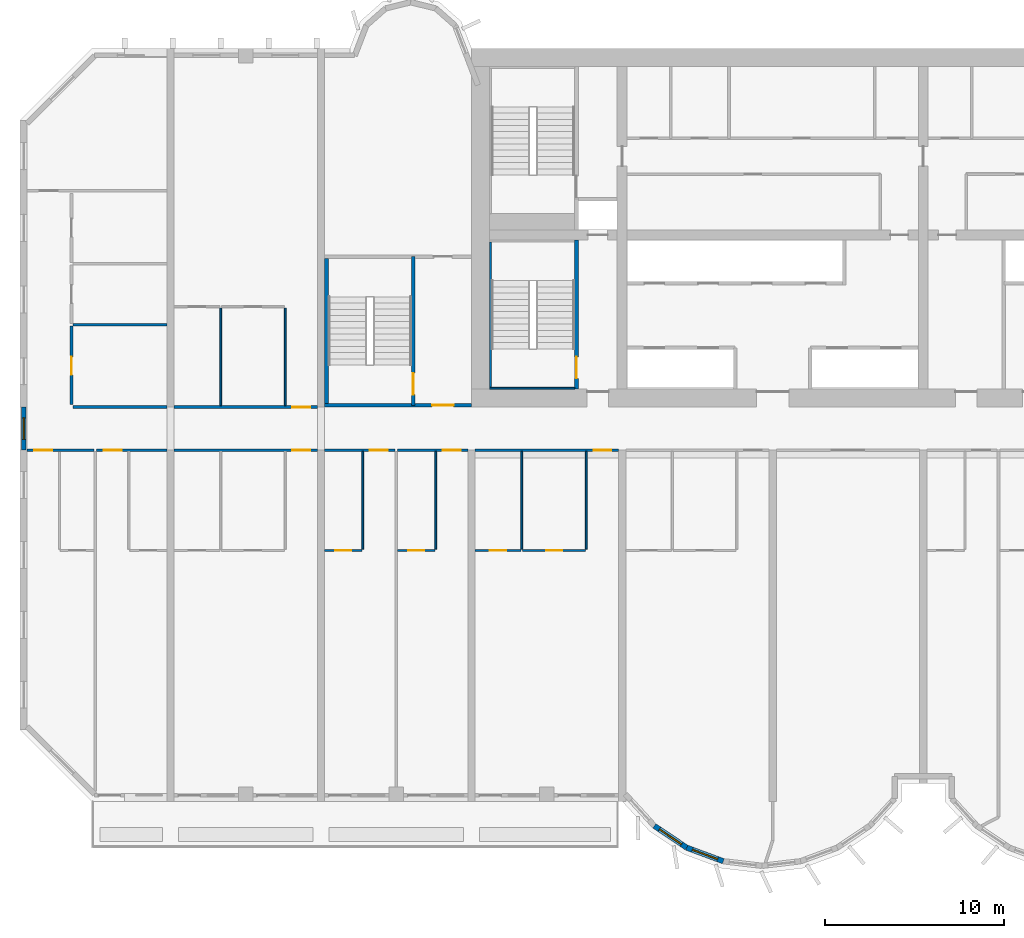
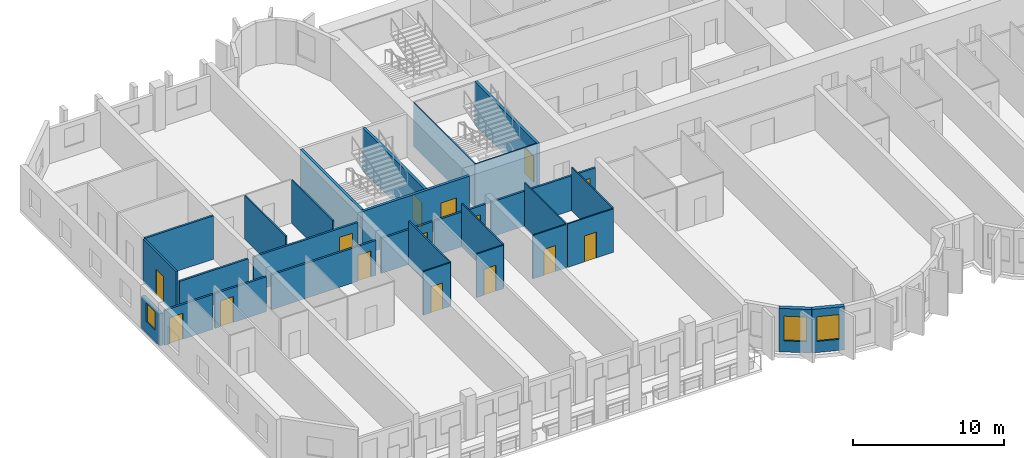
# One storey, part 3 of 14: 29 walls, 15 doors, 3 windows, 18 openings.
"""IFC4 building model written with IfcOpenShell, lengths in metres."""

from ifc_helpers import new_model, si_unit, direction, frame, frame_2d, origin, place, context, subcontext, project, spatial, rectangle, extrude, source, transform, mapped, material, layer, layer_set, type_object, element, fill, save


model = new_model("IFC4")

# Units and contexts
model_context = context("Model", 3, precision=1e-05, world=origin(), true_north=direction((0.0, 1.0)))
body_context = subcontext(model_context, "Body", "Model", "MODEL_VIEW")
ifc_project = project(units=[si_unit("LENGTHUNIT", "METRE"), si_unit("AREAUNIT", "SQUARE_METRE"), si_unit("VOLUMEUNIT", "CUBIC_METRE"), si_unit("PLANEANGLEUNIT", "RADIAN"), si_unit("MASSUNIT", "GRAM", prefix="KILO")], contexts=[model_context])

# Site, building, storey
site_placement = place(None, origin())
site = spatial("IfcSite", under=ifc_project, at=site_placement, CompositionType="ELEMENT")
building_placement = place(site_placement, origin())
building = spatial("IfcBuilding", under=site, at=building_placement, Name="Vanashikhar Sky Hotel", CompositionType="ELEMENT")
storey_placement = place(building_placement, frame((0.0, 0.0, 50.60009765625)))
storey = spatial("IfcBuildingStorey", under=building, at=storey_placement, Name="L11", CompositionType="ELEMENT", Elevation=50.60009765625)

# Wall, opening, window
ifc_material_1 = material(Name="Concrete M50", Category="concrete")
ifc_layer_1 = layer(ifc_material_1, 0.300048828125)
ifc_layer_set_1 = layer_set([ifc_layer_1], Name="Lobe wall 300")
wall_type_1 = type_object("IfcWallType", Name="Lobe wall 300", PredefinedType="SOLIDWALL", material=ifc_layer_set_1)
shared_shape_1 = source(origin(), body_context, "Body", "SweptSolid", [
    extrude(rectangle(XDim=2.17578125, YDim=0.300048828125, at=frame_2d((1.087890625, 0.0))), origin(), (0.0, 0.0, 1.0), 3.52001953125),
])
wall_1_placement = place(storey_placement, frame((35.395751953125, -1.36865234375, 0.0), z_axis=(0.0, 0.0, 1.0), x_axis=(0.829590746428, -0.558371913192, 0.0)))
wall_1 = element("IfcWall", 1, at=wall_1_placement, inside=storey, type_object=wall_type_1, Name="Lobe wall", PredefinedType="SOLIDWALL", context=body_context, shape_type="MappedRepresentation", body=[
    mapped(shared_shape_1, transform((0.0, 0.0, 0.0), scale=1.0)),
])
shared_shape_2 = source(origin(), body_context, "Body", "SweptSolid", [
    extrude(rectangle(XDim=1.5, YDim=2.0, at=frame_2d((0.75, 1.0))), frame((0.0, 0.16015625, 0.0), z_axis=(0.0, -1.0, 0.0), x_axis=(1.0, 0.0, 0.0)), (0.0, 0.0, 1.0), 0.320068359375),
])
opening_1_placement = place(wall_1_placement, frame((0.337890625, 0.0, 0.89990234375)))
opening_1 = element("IfcOpeningElement", 2, at=opening_1_placement, cuts=wall_1, Name="Opening WN-2", PredefinedType="OPENING", context=body_context, shape_type="MappedRepresentation", body=[
    mapped(shared_shape_2, transform((0.0, 0.0, 0.0), scale=1.0)),
])
ifc_material_2 = material(Name="Glass", Category="glass")
window_type_1 = type_object("IfcWindowType", Name="Lobe window 1500 x 2000", PartitioningType="SINGLE_PANEL", PredefinedType="WINDOW", material=ifc_material_2)
shared_shape_3 = source(origin(), body_context, "Body", "SweptSolid", [
    extrude(rectangle(XDim=1.5, YDim=2.0, at=frame_2d((0.75, 1.0))), frame((0.0, 0.030029296875, 0.0), z_axis=(0.0, -1.0, 0.0), x_axis=(1.0, 0.0, 0.0)), (0.0, 0.0, 1.0), 0.06005859375),
])
window_1_placement = place(opening_1_placement, origin())
window_1 = element("IfcWindow", 3, at=window_1_placement, inside=storey, type_object=window_type_1, Name="Window WN-2", OverallHeight=2.0, OverallWidth=1.5, PartitioningType="SINGLE_PANEL", PredefinedType="WINDOW", context=body_context, shape_type="MappedRepresentation", body=[
    mapped(shared_shape_3, transform((0.0, 0.0, 0.0), scale=1.0)),
])
fill(opening_1, window_1)

wall_2_placement = place(storey_placement, frame((37.20068359375, -2.58349609375, 0.0), z_axis=(0.0, 0.0, 1.0), x_axis=(0.93754555999, -0.347862505801, 0.0)))
wall_2 = element("IfcWall", 4, at=wall_2_placement, inside=storey, type_object=wall_type_1, Name="Lobe wall", PredefinedType="SOLIDWALL", context=body_context, shape_type="MappedRepresentation", body=[
    mapped(shared_shape_1, transform((0.0, 0.0, 0.0), scale=1.0)),
])
opening_2_placement = place(wall_2_placement, frame((0.337890625, 0.0, 0.89990234375)))
opening_2 = element("IfcOpeningElement", 5, at=opening_2_placement, cuts=wall_2, Name="Opening WN-2", PredefinedType="OPENING", context=body_context, shape_type="MappedRepresentation", body=[
    mapped(shared_shape_2, transform((0.0, 0.0, 0.0), scale=1.0)),
])
window_2_placement = place(opening_2_placement, origin())
window_2 = element("IfcWindow", 6, at=window_2_placement, inside=storey, type_object=window_type_1, Name="Window WN-2", OverallHeight=2.0, OverallWidth=1.5, PartitioningType="SINGLE_PANEL", PredefinedType="WINDOW", context=body_context, shape_type="MappedRepresentation", body=[
    mapped(shared_shape_3, transform((0.0, 0.0, 0.0), scale=1.0)),
])
fill(opening_2, window_2)

ifc_layer_2 = layer(ifc_material_1, 0.25)
ifc_layer_set_2 = layer_set([ifc_layer_2], Name="Rear and end board-marked wall 250")
wall_type_2 = type_object("IfcWallType", Name="Rear and end board-marked wall 250", PredefinedType="SOLIDWALL", material=ifc_layer_set_2)
shared_shape_4 = source(origin(), body_context, "Body", "SweptSolid", [
    extrude(rectangle(XDim=2.39990234375, YDim=0.25, at=frame_2d((1.199951171875, 0.0))), origin(), (0.0, 0.0, 1.0), 2.619873046875),
])
wall_3_placement = place(storey_placement, frame((0.199951171875, 19.60009765625, 0.0), z_axis=(0.0, 0.0, 1.0), x_axis=(0.0, 1.0, 0.0)))
wall_3 = element("IfcWall", 7, at=wall_3_placement, inside=storey, type_object=wall_type_2, Name="End corridor infill wall", PredefinedType="SOLIDWALL", context=body_context, shape_type="MappedRepresentation", body=[
    mapped(shared_shape_4, transform((0.0, 0.0, 0.0), scale=1.0)),
])
shared_shape_5 = source(origin(), body_context, "Body", "SweptSolid", [
    extrude(rectangle(XDim=1.199951171875, YDim=1.5, at=frame_2d((0.60009765625, 0.75))), frame((0.0, 0.135009765625, 0.0), z_axis=(0.0, -1.0, 0.0), x_axis=(1.0, 0.0, 0.0)), (0.0, 0.0, 1.0), 0.27001953125),
])
opening_3_placement = place(wall_3_placement, frame((0.60009765625, 0.0, 0.89990234375)))
opening_3 = element("IfcOpeningElement", 8, at=opening_3_placement, cuts=wall_3, Name="Opening WN-3", PredefinedType="OPENING", context=body_context, shape_type="MappedRepresentation", body=[
    mapped(shared_shape_5, transform((0.0, 0.0, 0.0), scale=1.0)),
])
window_type_2 = type_object("IfcWindowType", Name="Corridor end window 1200 x 1500", PartitioningType="SINGLE_PANEL", PredefinedType="WINDOW", material=ifc_material_2)
shared_shape_6 = source(origin(), body_context, "Body", "SweptSolid", [
    extrude(rectangle(XDim=1.199951171875, YDim=1.5, at=frame_2d((0.60009765625, 0.75))), frame((0.0, 0.030029296875, 0.0), z_axis=(0.0, -1.0, 0.0), x_axis=(1.0, 0.0, 0.0)), (0.0, 0.0, 1.0), 0.06005859375),
])
window_3_placement = place(opening_3_placement, origin())
window_3 = element("IfcWindow", 9, at=window_3_placement, inside=storey, type_object=window_type_2, Name="Window WN-3", OverallHeight=1.5, OverallWidth=1.199951171875, PartitioningType="SINGLE_PANEL", PredefinedType="WINDOW", context=body_context, shape_type="MappedRepresentation", body=[
    mapped(shared_shape_6, transform((0.0, 0.0, 0.0), scale=1.0)),
])
fill(opening_3, window_3)

# Wall, opening, door
ifc_layer_3 = layer(ifc_material_1, 0.199951171875)
ifc_layer_set_3 = layer_set([ifc_layer_3], Name="Stair wall 200")
wall_type_3 = type_object("IfcWallType", Name="Stair wall 200", PredefinedType="SOLIDWALL", material=ifc_layer_set_3)
shared_shape_7 = source(origin(), body_context, "Body", "SweptSolid", [
    extrude(rectangle(XDim=8.199951171875, YDim=0.199951171875, at=frame_2d((4.10009765625, 0.0))), origin(), (0.0, 0.0, 1.0), 3.52001953125),
])
wall_4_placement = place(storey_placement, frame((17.0, 22.10009765625, 0.0), z_axis=(0.0, 0.0, 1.0), x_axis=(1.0, 0.0, 0.0)))
wall_4 = element("IfcWall", 10, at=wall_4_placement, inside=storey, type_object=wall_type_3, Name="Stair wall 200", PredefinedType="SOLIDWALL", context=body_context, shape_type="MappedRepresentation", body=[
    mapped(shared_shape_7, transform((0.0, 0.0, 0.0), scale=1.0)),
])
shared_shape_8 = source(origin(), body_context, "Body", "SweptSolid", [
    extrude(rectangle(XDim=1.199951171875, YDim=2.10009765625, at=frame_2d((0.60009765625, 1.050048828125))), frame((0.0, 0.10986328125, 0.0), z_axis=(0.0, -1.0, 0.0), x_axis=(1.0, 0.0, 0.0)), (0.0, 0.0, 1.0), 0.219970703125),
])
opening_4_placement = place(wall_4_placement, frame((6.0, 0.0, 0.0)))
opening_4 = element("IfcOpeningElement", 11, at=opening_4_placement, cuts=wall_4, Name="Opening DC-2", PredefinedType="OPENING", context=body_context, shape_type="MappedRepresentation", body=[
    mapped(shared_shape_8, transform((0.0, 0.0, 0.0), scale=1.0)),
])
ifc_material_3 = material(Name="Steel", Category="steel")
door_type_1 = type_object("IfcDoorType", Name="Firefighting lobby door 1200 FD120", OperationType="NOTDEFINED", PredefinedType="DOOR", material=ifc_material_3)
shared_shape_9 = source(origin(), body_context, "Body", "SweptSolid", [
    extrude(rectangle(XDim=1.199951171875, YDim=2.10009765625, at=frame_2d((0.60009765625, 1.050048828125))), frame((0.0, 0.02490234375, 0.0), z_axis=(0.0, -1.0, 0.0), x_axis=(1.0, 0.0, 0.0)), (0.0, 0.0, 1.0), 0.050048828125),
])
door_1_placement = place(opening_4_placement, origin())
door_1 = element("IfcDoor", 12, at=door_1_placement, inside=storey, type_object=door_type_1, Name="Firefighting lobby door 1200 FD120", OperationType="SINGLE_SWING_RIGHT", OverallHeight=2.10009765625, OverallWidth=1.199951171875, PredefinedType="DOOR", context=body_context, shape_type="MappedRepresentation", body=[
    mapped(shared_shape_9, transform((0.0, 0.0, 0.0), scale=1.0)),
])
fill(opening_4, door_1)

shared_shape_10 = source(origin(), body_context, "Body", "SweptSolid", [
    extrude(rectangle(XDim=8.2998046875, YDim=0.199951171875, at=frame_2d((4.14990234375, 0.0))), origin(), (0.0, 0.0, 1.0), 3.52001953125),
])
wall_5_placement = place(storey_placement, frame((21.949951171875, 22.10009765625, 0.0), z_axis=(0.0, 0.0, 1.0), x_axis=(0.0, 1.0, 0.0)))
wall_5 = element("IfcWall", 13, at=wall_5_placement, inside=storey, type_object=wall_type_3, Name="Stair wall 200", PredefinedType="SOLIDWALL", context=body_context, shape_type="MappedRepresentation", body=[
    mapped(shared_shape_10, transform((0.0, 0.0, 0.0), scale=1.0)),
])
opening_5_placement = place(wall_5_placement, frame((0.60009765625, 0.0, 0.0)))
opening_5 = element("IfcOpeningElement", 14, at=opening_5_placement, cuts=wall_5, Name="Opening DC-1", PredefinedType="OPENING", context=body_context, shape_type="MappedRepresentation", body=[
    mapped(shared_shape_8, transform((0.0, 0.0, 0.0), scale=1.0)),
])
door_type_2 = type_object("IfcDoorType", Name="Stair door 1200 FD120", OperationType="NOTDEFINED", PredefinedType="DOOR", material=ifc_material_3)
door_2_placement = place(opening_5_placement, origin())
door_2 = element("IfcDoor", 15, at=door_2_placement, inside=storey, type_object=door_type_2, Name="Stair door 1200 FD120", OperationType="SINGLE_SWING_LEFT", OverallHeight=2.10009765625, OverallWidth=1.199951171875, PredefinedType="DOOR", context=body_context, shape_type="MappedRepresentation", body=[
    mapped(shared_shape_9, transform((0.0, 0.0, 0.0), scale=1.0)),
])
fill(opening_5, door_2)

# Walls
ifc_layer_4 = layer(ifc_material_1, 0.10009765625)
ifc_layer_set_4 = layer_set([ifc_layer_4], Name="Stair infill wall 100")
wall_type_4 = type_object("IfcWallType", Name="Stair infill wall 100", PredefinedType="SOLIDWALL", material=ifc_layer_set_4)
shared_shape_11 = source(origin(), body_context, "Body", "SweptSolid", [
    extrude(rectangle(XDim=4.75, YDim=0.10009765625, at=frame_2d((2.375, 0.0))), origin(), (0.0, 0.0, 1.0), 3.52001953125),
])
wall_6_placement = place(storey_placement, frame((26.199951171875, 23.050048828125, 0.0), z_axis=(0.0, 0.0, 1.0), x_axis=(1.0, 0.0, 0.0)))
element("IfcWall", 16, at=wall_6_placement, inside=storey, type_object=wall_type_4, Name="Stair infill wall 100", PredefinedType="SOLIDWALL", context=body_context, shape_type="MappedRepresentation", body=[
    mapped(shared_shape_11, transform((0.0, 0.0, 0.0), scale=1.0)),
])
shared_shape_12 = source(origin(), body_context, "Body", "SweptSolid", [
    extrude(rectangle(XDim=8.099853515625, YDim=0.10009765625, at=frame_2d((4.0498046875, 0.0))), origin(), (0.0, 0.0, 1.0), 3.52001953125),
])
wall_7_placement = place(storey_placement, frame((26.25, 23.10009765625, 0.0), z_axis=(0.0, 0.0, 1.0), x_axis=(0.0, 1.0, 0.0)))
element("IfcWall", 17, at=wall_7_placement, inside=storey, type_object=wall_type_4, Name="Stair infill wall 100", PredefinedType="SOLIDWALL", context=body_context, shape_type="MappedRepresentation", body=[
    mapped(shared_shape_12, transform((0.0, 0.0, 0.0), scale=1.0)),
])

# Wall, opening, door
shared_shape_13 = source(origin(), body_context, "Body", "SweptSolid", [
    extrude(rectangle(XDim=8.324951171875, YDim=0.199951171875, at=frame_2d((4.16259765625, 0.0))), origin(), (0.0, 0.0, 1.0), 3.52001953125),
])
wall_8_placement = place(storey_placement, frame((31.050048828125, 23.0, 0.0), z_axis=(0.0, 0.0, 1.0), x_axis=(0.0, 1.0, 0.0)))
wall_8 = element("IfcWall", 18, at=wall_8_placement, inside=storey, type_object=wall_type_3, Name="Stair wall 200", PredefinedType="SOLIDWALL", context=body_context, shape_type="MappedRepresentation", body=[
    mapped(shared_shape_13, transform((0.0, 0.0, 0.0), scale=1.0)),
])
opening_6_placement = place(wall_8_placement, frame((0.60009765625, 0.0, 0.0)))
opening_6 = element("IfcOpeningElement", 19, at=opening_6_placement, cuts=wall_8, Name="Opening DC-1", PredefinedType="OPENING", context=body_context, shape_type="MappedRepresentation", body=[
    mapped(shared_shape_8, transform((0.0, 0.0, 0.0), scale=1.0)),
])
door_3_placement = place(opening_6_placement, origin())
door_3 = element("IfcDoor", 20, at=door_3_placement, inside=storey, type_object=door_type_2, Name="Stair door 1200 FD120", OperationType="SINGLE_SWING_LEFT", OverallHeight=2.10009765625, OverallWidth=1.199951171875, PredefinedType="DOOR", context=body_context, shape_type="MappedRepresentation", body=[
    mapped(shared_shape_9, transform((0.0, 0.0, 0.0), scale=1.0)),
])
fill(opening_6, door_3)

# Wall
ifc_layer_5 = layer(ifc_material_1, 0.199951171875)
ifc_layer_set_5 = layer_set([ifc_layer_5], Name="Stair infill wall 200")
wall_type_5 = type_object("IfcWallType", Name="Stair infill wall 200", PredefinedType="SOLIDWALL", material=ifc_layer_set_5)
shared_shape_14 = source(origin(), body_context, "Body", "SweptSolid", [
    extrude(rectangle(XDim=8.10009765625, YDim=0.199951171875, at=frame_2d((4.050048828125, 0.0))), origin(), (0.0, 0.0, 1.0), 3.52001953125),
])
wall_9_placement = place(storey_placement, frame((17.10009765625, 22.199951171875, 0.0), z_axis=(0.0, 0.0, 1.0), x_axis=(0.0, 1.0, 0.0)))
element("IfcWall", 21, at=wall_9_placement, inside=storey, type_object=wall_type_5, Name="Stair infill wall 200", PredefinedType="SOLIDWALL", context=body_context, shape_type="MappedRepresentation", body=[
    mapped(shared_shape_14, transform((0.0, 0.0, 0.0), scale=1.0)),
])

# Wall, opening, door
ifc_material_4 = material(Name="Gypsum plasterboard partition")
ifc_layer_6 = layer(ifc_material_4, 0.14990234375)
ifc_layer_set_6 = layer_set([ifc_layer_6], Name="Corridor and demising partition 150")
wall_type_6 = type_object("IfcWallType", Name="Corridor and demising partition 150", PredefinedType="PARTITIONING", material=ifc_layer_set_6)
shared_shape_15 = source(origin(), body_context, "Body", "SweptSolid", [
    extrude(rectangle(XDim=4.375, YDim=0.14990234375, at=frame_2d((2.1875, 0.0))), origin(), (0.0, 0.0, 1.0), 3.52001953125),
])
wall_10_placement = place(storey_placement, frame((2.875, 22.14990234375, 0.0), z_axis=(0.0, 0.0, 1.0), x_axis=(0.0, 1.0, 0.0)))
wall_10 = element("IfcWall", 22, at=wall_10_placement, inside=storey, type_object=wall_type_6, Name="W-L11-PW074", PredefinedType="PARTITIONING", context=body_context, shape_type="MappedRepresentation", body=[
    mapped(shared_shape_15, transform((0.0, 0.0, 0.0), scale=1.0)),
])
shared_shape_16 = source(origin(), body_context, "Body", "SweptSolid", [
    extrude(rectangle(XDim=1.0, YDim=2.10009765625, at=frame_2d((0.5, 1.050048828125))), frame((0.0, 0.0849609375, 0.0), z_axis=(0.0, -1.0, 0.0), x_axis=(1.0, 0.0, 0.0)), (0.0, 0.0, 1.0), 0.169921875),
])
opening_7_placement = place(wall_10_placement, frame((1.64990234375, 0.0, 0.0)))
opening_7 = element("IfcOpeningElement", 23, at=opening_7_placement, cuts=wall_10, Name="Opening D-01", PredefinedType="OPENING", context=body_context, shape_type="MappedRepresentation", body=[
    mapped(shared_shape_16, transform((0.0, 0.0, 0.0), scale=1.0)),
])
ifc_material_5 = material(Name="Timber fire door", Category="wood")
door_type_3 = type_object("IfcDoorType", Name="Guest entry door 1000 FD30S", OperationType="NOTDEFINED", PredefinedType="DOOR", material=ifc_material_5)
shared_shape_17 = source(origin(), body_context, "Body", "SweptSolid", [
    extrude(rectangle(XDim=1.0, YDim=2.10009765625, at=frame_2d((0.5, 1.050048828125))), frame((0.0, 0.02490234375, 0.0), z_axis=(0.0, -1.0, 0.0), x_axis=(1.0, 0.0, 0.0)), (0.0, 0.0, 1.0), 0.050048828125),
])
door_4_placement = place(opening_7_placement, origin())
door_4 = element("IfcDoor", 24, at=door_4_placement, inside=storey, type_object=door_type_3, Name="D-L11-042", OperationType="SINGLE_SWING_LEFT", OverallHeight=2.10009765625, OverallWidth=1.0, PredefinedType="DOOR", context=body_context, shape_type="MappedRepresentation", body=[
    mapped(shared_shape_17, transform((0.0, 0.0, 0.0), scale=1.0)),
])
fill(opening_7, door_4)

ifc_layer_7 = layer(ifc_material_4, 0.10009765625)
ifc_layer_set_7 = layer_set([ifc_layer_7], Name="Wet room partition 100")
wall_type_7 = type_object("IfcWallType", Name="Wet room partition 100", PredefinedType="PARTITIONING", material=ifc_layer_set_7)
shared_shape_18 = source(origin(), body_context, "Body", "SweptSolid", [
    extrude(rectangle(XDim=3.5, YDim=0.10009765625, at=frame_2d((1.75, 0.0))), origin(), (0.0, 0.0, 1.0), 3.52001953125),
])
wall_11_placement = place(storey_placement, frame((28.050048828125, 14.0, 0.0), z_axis=(0.0, 0.0, 1.0), x_axis=(1.0, 0.0, 0.0)))
wall_11 = element("IfcWall", 25, at=wall_11_placement, inside=storey, type_object=wall_type_7, Name="W-L11-PW022", PredefinedType="PARTITIONING", context=body_context, shape_type="MappedRepresentation", body=[
    mapped(shared_shape_18, transform((0.0, 0.0, 0.0), scale=1.0)),
])
shared_shape_19 = source(origin(), body_context, "Body", "SweptSolid", [
    extrude(rectangle(XDim=0.89990234375, YDim=2.10009765625, at=frame_2d((0.449951171875, 1.050048828125))), frame((0.0, 0.06005859375, 0.0), z_axis=(0.0, -1.0, 0.0), x_axis=(1.0, 0.0, 0.0)), (0.0, 0.0, 1.0), 0.1201171875),
])
opening_8_placement = place(wall_11_placement, frame((1.300048828125, 0.0, 0.0)))
opening_8 = element("IfcOpeningElement", 26, at=opening_8_placement, cuts=wall_11, Name="Opening D-02", PredefinedType="OPENING", context=body_context, shape_type="MappedRepresentation", body=[
    mapped(shared_shape_19, transform((0.0, 0.0, 0.0), scale=1.0)),
])
ifc_material_6 = material(Name="Timber door", Category="wood")
door_type_4 = type_object("IfcDoorType", Name="Internal door 900", OperationType="NOTDEFINED", PredefinedType="DOOR", material=ifc_material_6)
shared_shape_20 = source(origin(), body_context, "Body", "SweptSolid", [
    extrude(rectangle(XDim=0.89990234375, YDim=2.10009765625, at=frame_2d((0.449951171875, 1.050048828125))), frame((0.0, 0.02490234375, 0.0), z_axis=(0.0, -1.0, 0.0), x_axis=(1.0, 0.0, 0.0)), (0.0, 0.0, 1.0), 0.050048828125),
])
door_5_placement = place(opening_8_placement, origin())
door_5 = element("IfcDoor", 27, at=door_5_placement, inside=storey, type_object=door_type_4, Name="D-L11-012", OperationType="SINGLE_SWING_RIGHT", OverallHeight=2.10009765625, OverallWidth=0.89990234375, PredefinedType="DOOR", context=body_context, shape_type="MappedRepresentation", body=[
    mapped(shared_shape_20, transform((0.0, 0.0, 0.0), scale=1.0)),
])
fill(opening_8, door_5)

shared_shape_21 = source(origin(), body_context, "Body", "SweptSolid", [
    extrude(rectangle(XDim=2.074951171875, YDim=0.10009765625, at=frame_2d((1.03759765625, 0.0))), origin(), (0.0, 0.0, 1.0), 3.52001953125),
])
wall_12_placement = place(storey_placement, frame((17.0, 14.0, 0.0), z_axis=(0.0, 0.0, 1.0), x_axis=(1.0, 0.0, 0.0)))
wall_12 = element("IfcWall", 28, at=wall_12_placement, inside=storey, type_object=wall_type_7, Name="W-L11-PW014", PredefinedType="PARTITIONING", context=body_context, shape_type="MappedRepresentation", body=[
    mapped(shared_shape_21, transform((0.0, 0.0, 0.0), scale=1.0)),
])
opening_9_placement = place(wall_12_placement, frame((0.587890625, 0.0, 0.0)))
opening_9 = element("IfcOpeningElement", 29, at=opening_9_placement, cuts=wall_12, Name="Opening D-02", PredefinedType="OPENING", context=body_context, shape_type="MappedRepresentation", body=[
    mapped(shared_shape_19, transform((0.0, 0.0, 0.0), scale=1.0)),
])
door_6_placement = place(opening_9_placement, origin())
door_6 = element("IfcDoor", 30, at=door_6_placement, inside=storey, type_object=door_type_4, Name="D-L11-008", OperationType="SINGLE_SWING_RIGHT", OverallHeight=2.10009765625, OverallWidth=0.89990234375, PredefinedType="DOOR", context=body_context, shape_type="MappedRepresentation", body=[
    mapped(shared_shape_20, transform((0.0, 0.0, 0.0), scale=1.0)),
])
fill(opening_9, door_6)

wall_13_placement = place(storey_placement, frame((21.074951171875, 14.0, 0.0), z_axis=(0.0, 0.0, 1.0), x_axis=(1.0, 0.0, 0.0)))
wall_13 = element("IfcWall", 31, at=wall_13_placement, inside=storey, type_object=wall_type_7, Name="W-L11-PW017", PredefinedType="PARTITIONING", context=body_context, shape_type="MappedRepresentation", body=[
    mapped(shared_shape_21, transform((0.0, 0.0, 0.0), scale=1.0)),
])
opening_10_placement = place(wall_13_placement, frame((0.5869140625, 0.0, 0.0)))
opening_10 = element("IfcOpeningElement", 32, at=opening_10_placement, cuts=wall_13, Name="Opening D-02", PredefinedType="OPENING", context=body_context, shape_type="MappedRepresentation", body=[
    mapped(shared_shape_19, transform((0.0, 0.0, 0.0), scale=1.0)),
])
door_7_placement = place(opening_10_placement, origin())
door_7 = element("IfcDoor", 33, at=door_7_placement, inside=storey, type_object=door_type_4, Name="D-L11-010", OperationType="SINGLE_SWING_RIGHT", OverallHeight=2.10009765625, OverallWidth=0.89990234375, PredefinedType="DOOR", context=body_context, shape_type="MappedRepresentation", body=[
    mapped(shared_shape_20, transform((0.0, 0.0, 0.0), scale=1.0)),
])
fill(opening_10, door_7)

shared_shape_22 = source(origin(), body_context, "Body", "SweptSolid", [
    extrude(rectangle(XDim=2.550048828125, YDim=0.10009765625, at=frame_2d((1.27490234375, 0.0))), origin(), (0.0, 0.0, 1.0), 3.52001953125),
])
wall_14_placement = place(storey_placement, frame((25.39990234375, 14.0, 0.0), z_axis=(0.0, 0.0, 1.0), x_axis=(1.0, 0.0, 0.0)))
wall_14 = element("IfcWall", 34, at=wall_14_placement, inside=storey, type_object=wall_type_7, Name="W-L11-PW023", PredefinedType="PARTITIONING", context=body_context, shape_type="MappedRepresentation", body=[
    mapped(shared_shape_22, transform((0.0, 0.0, 0.0), scale=1.0)),
])
opening_11_placement = place(wall_14_placement, frame((0.824951171875, 0.0, 0.0)))
opening_11 = element("IfcOpeningElement", 35, at=opening_11_placement, cuts=wall_14, Name="Opening D-02", PredefinedType="OPENING", context=body_context, shape_type="MappedRepresentation", body=[
    mapped(shared_shape_19, transform((0.0, 0.0, 0.0), scale=1.0)),
])
door_8_placement = place(opening_11_placement, origin())
door_8 = element("IfcDoor", 36, at=door_8_placement, inside=storey, type_object=door_type_4, Name="D-L11-013", OperationType="SINGLE_SWING_RIGHT", OverallHeight=2.10009765625, OverallWidth=0.89990234375, PredefinedType="DOOR", context=body_context, shape_type="MappedRepresentation", body=[
    mapped(shared_shape_20, transform((0.0, 0.0, 0.0), scale=1.0)),
])
fill(opening_11, door_8)

# Walls
shared_shape_23 = source(origin(), body_context, "Body", "SweptSolid", [
    extrude(rectangle(XDim=5.25, YDim=0.14990234375, at=frame_2d((2.625, 0.0))), origin(), (0.0, 0.0, 1.0), 3.52001953125),
])
wall_15_placement = place(storey_placement, frame((2.949951171875, 26.60009765625, 0.0), z_axis=(0.0, 0.0, 1.0), x_axis=(1.0, 0.0, 0.0)))
element("IfcWall", 37, at=wall_15_placement, inside=storey, type_object=wall_type_6, Name="W-L11-PW075", PredefinedType="PARTITIONING", context=body_context, shape_type="MappedRepresentation", body=[
    mapped(shared_shape_23, transform((0.0, 0.0, 0.0), scale=1.0)),
])
shared_shape_24 = source(origin(), body_context, "Body", "SweptSolid", [
    extrude(rectangle(XDim=5.449951171875, YDim=0.10009765625, at=frame_2d((2.72509765625, 0.0))), origin(), (0.0, 0.0, 1.0), 3.52001953125),
])
for number, where, z_axis, x_axis, name in (
    (38, (19.125, 14.074951171875, 0.0), (0.0, 0.0, 1.0), (0.0, 1.0, 0.0), "W-L11-PW013"),
    (39, (23.199951171875, 14.074951171875, 0.0), (0.0, 0.0, 1.0), (0.0, 1.0, 0.0), "W-L11-PW016"),
    (40, (31.60009765625, 14.074951171875, 0.0), (0.0, 0.0, 1.0), (0.0, 1.0, 0.0), "W-L11-PW020"),
    (41, (28.0, 14.074951171875, 0.0), (0.0, 0.0, 1.0), (0.0, 1.0, 0.0), "W-L11-PW021"),
    (42, (14.800048828125, 22.074951171875, 0.0), (0.0, 0.0, 1.0), (0.0, 1.0, 0.0), "W-L11-PW080"),
    (43, (11.199951171875, 22.074951171875, 0.0), (0.0, 0.0, 1.0), (0.0, 1.0, 0.0), "W-L11-PW081"),
):
    element("IfcWall", number, at=place(storey_placement, frame(where, z_axis=z_axis, x_axis=x_axis)), inside=storey, type_object=wall_type_7, Name=name, PredefinedType="PARTITIONING", context=body_context, shape_type="MappedRepresentation", body=[
        mapped(shared_shape_24, transform((0.0, 0.0, 0.0), scale=1.0)),
    ])

# Wall, opening, door
shared_shape_25 = source(origin(), body_context, "Body", "SweptSolid", [
    extrude(rectangle(XDim=3.72509765625, YDim=0.14990234375, at=frame_2d((1.862548828125, 0.0))), origin(), (0.0, 0.0, 1.0), 2.81982421875),
])
wall_16_placement = place(storey_placement, frame((0.39990234375, 19.60009765625, 0.0), z_axis=(0.0, 0.0, 1.0), x_axis=(1.0, 0.0, 0.0)))
wall_16 = element("IfcWall", 44, at=wall_16_placement, inside=storey, type_object=wall_type_6, Name="W-L11-PW003", PredefinedType="PARTITIONING", context=body_context, shape_type="MappedRepresentation", body=[
    mapped(shared_shape_25, transform((0.0, 0.0, 0.0), scale=1.0)),
])
opening_12_placement = place(wall_16_placement, frame((0.39990234375, 0.0, 0.0)))
opening_12 = element("IfcOpeningElement", 45, at=opening_12_placement, cuts=wall_16, Name="Opening D-01", PredefinedType="OPENING", context=body_context, shape_type="MappedRepresentation", body=[
    mapped(shared_shape_16, transform((0.0, 0.0, 0.0), scale=1.0)),
])
door_9_placement = place(opening_12_placement, origin())
door_9 = element("IfcDoor", 46, at=door_9_placement, inside=storey, type_object=door_type_3, Name="D-L11-002", OperationType="SINGLE_SWING_LEFT", OverallHeight=2.10009765625, OverallWidth=1.0, PredefinedType="DOOR", context=body_context, shape_type="MappedRepresentation", body=[
    mapped(shared_shape_17, transform((0.0, 0.0, 0.0), scale=1.0)),
])
fill(opening_12, door_9)

shared_shape_26 = source(origin(), body_context, "Body", "SweptSolid", [
    extrude(rectangle(XDim=3.925048828125, YDim=0.14990234375, at=frame_2d((1.96240234375, 0.0))), origin(), (0.0, 0.0, 1.0), 2.81982421875),
])
wall_17_placement = place(storey_placement, frame((4.27490234375, 19.60009765625, 0.0), z_axis=(0.0, 0.0, 1.0), x_axis=(1.0, 0.0, 0.0)))
wall_17 = element("IfcWall", 47, at=wall_17_placement, inside=storey, type_object=wall_type_6, Name="W-L11-PW006", PredefinedType="PARTITIONING", context=body_context, shape_type="MappedRepresentation", body=[
    mapped(shared_shape_26, transform((0.0, 0.0, 0.0), scale=1.0)),
])
opening_13_placement = place(wall_17_placement, frame((0.39990234375, 0.0, 0.0)))
opening_13 = element("IfcOpeningElement", 48, at=opening_13_placement, cuts=wall_17, Name="Opening D-01", PredefinedType="OPENING", context=body_context, shape_type="MappedRepresentation", body=[
    mapped(shared_shape_16, transform((0.0, 0.0, 0.0), scale=1.0)),
])
door_10_placement = place(opening_13_placement, origin())
door_10 = element("IfcDoor", 49, at=door_10_placement, inside=storey, type_object=door_type_3, Name="D-L11-004", OperationType="SINGLE_SWING_LEFT", OverallHeight=2.10009765625, OverallWidth=1.0, PredefinedType="DOOR", context=body_context, shape_type="MappedRepresentation", body=[
    mapped(shared_shape_17, transform((0.0, 0.0, 0.0), scale=1.0)),
])
fill(opening_13, door_10)

wall_18_placement = place(storey_placement, frame((17.0, 19.60009765625, 0.0), z_axis=(0.0, 0.0, 1.0), x_axis=(1.0, 0.0, 0.0)))
wall_18 = element("IfcWall", 50, at=wall_18_placement, inside=storey, type_object=wall_type_6, Name="W-L11-PW015", PredefinedType="PARTITIONING", context=body_context, shape_type="MappedRepresentation", body=[
    mapped(shared_shape_26, transform((0.0, 0.0, 0.0), scale=1.0)),
])
opening_14_placement = place(wall_18_placement, frame((2.52490234375, 0.0, 0.0)))
opening_14 = element("IfcOpeningElement", 51, at=opening_14_placement, cuts=wall_18, Name="Opening D-01", PredefinedType="OPENING", context=body_context, shape_type="MappedRepresentation", body=[
    mapped(shared_shape_16, transform((0.0, 0.0, 0.0), scale=1.0)),
])
door_11_placement = place(opening_14_placement, origin())
door_11 = element("IfcDoor", 52, at=door_11_placement, inside=storey, type_object=door_type_3, Name="D-L11-009", OperationType="SINGLE_SWING_RIGHT", OverallHeight=2.10009765625, OverallWidth=1.0, PredefinedType="DOOR", context=body_context, shape_type="MappedRepresentation", body=[
    mapped(shared_shape_17, transform((0.0, 0.0, 0.0), scale=1.0)),
])
fill(opening_14, door_11)

wall_19_placement = place(storey_placement, frame((21.074951171875, 19.60009765625, 0.0), z_axis=(0.0, 0.0, 1.0), x_axis=(1.0, 0.0, 0.0)))
wall_19 = element("IfcWall", 53, at=wall_19_placement, inside=storey, type_object=wall_type_6, Name="W-L11-PW018", PredefinedType="PARTITIONING", context=body_context, shape_type="MappedRepresentation", body=[
    mapped(shared_shape_26, transform((0.0, 0.0, 0.0), scale=1.0)),
])
opening_15_placement = place(wall_19_placement, frame((2.52490234375, 0.0, 0.0)))
opening_15 = element("IfcOpeningElement", 54, at=opening_15_placement, cuts=wall_19, Name="Opening D-01", PredefinedType="OPENING", context=body_context, shape_type="MappedRepresentation", body=[
    mapped(shared_shape_16, transform((0.0, 0.0, 0.0), scale=1.0)),
])
door_12_placement = place(opening_15_placement, origin())
door_12 = element("IfcDoor", 55, at=door_12_placement, inside=storey, type_object=door_type_3, Name="D-L11-011", OperationType="SINGLE_SWING_RIGHT", OverallHeight=2.10009765625, OverallWidth=1.0, PredefinedType="DOOR", context=body_context, shape_type="MappedRepresentation", body=[
    mapped(shared_shape_17, transform((0.0, 0.0, 0.0), scale=1.0)),
])
fill(opening_15, door_12)

shared_shape_27 = source(origin(), body_context, "Body", "SweptSolid", [
    extrude(rectangle(XDim=8.0, YDim=0.14990234375, at=frame_2d((4.0, 0.0))), origin(), (0.0, 0.0, 1.0), 2.81982421875),
])
wall_20_placement = place(storey_placement, frame((8.60009765625, 19.60009765625, 0.0), z_axis=(0.0, 0.0, 1.0), x_axis=(1.0, 0.0, 0.0)))
wall_20 = element("IfcWall", 56, at=wall_20_placement, inside=storey, type_object=wall_type_6, Name="W-L11-PW012", PredefinedType="PARTITIONING", context=body_context, shape_type="MappedRepresentation", body=[
    mapped(shared_shape_27, transform((0.0, 0.0, 0.0), scale=1.0)),
])
opening_16_placement = place(wall_20_placement, frame((6.60009765625, 0.0, 0.0)))
opening_16 = element("IfcOpeningElement", 57, at=opening_16_placement, cuts=wall_20, Name="Opening D-01", PredefinedType="OPENING", context=body_context, shape_type="MappedRepresentation", body=[
    mapped(shared_shape_16, transform((0.0, 0.0, 0.0), scale=1.0)),
])
door_13_placement = place(opening_16_placement, origin())
door_13 = element("IfcDoor", 58, at=door_13_placement, inside=storey, type_object=door_type_3, Name="D-L11-007", OperationType="SINGLE_SWING_RIGHT", OverallHeight=2.10009765625, OverallWidth=1.0, PredefinedType="DOOR", context=body_context, shape_type="MappedRepresentation", body=[
    mapped(shared_shape_17, transform((0.0, 0.0, 0.0), scale=1.0)),
])
fill(opening_16, door_13)

wall_21_placement = place(storey_placement, frame((25.39990234375, 19.60009765625, 0.0), z_axis=(0.0, 0.0, 1.0), x_axis=(1.0, 0.0, 0.0)))
wall_21 = element("IfcWall", 59, at=wall_21_placement, inside=storey, type_object=wall_type_6, Name="W-L11-PW024", PredefinedType="PARTITIONING", context=body_context, shape_type="MappedRepresentation", body=[
    mapped(shared_shape_27, transform((0.0, 0.0, 0.0), scale=1.0)),
])
opening_17_placement = place(wall_21_placement, frame((6.60009765625, 0.0, 0.0)))
opening_17 = element("IfcOpeningElement", 60, at=opening_17_placement, cuts=wall_21, Name="Opening D-01", PredefinedType="OPENING", context=body_context, shape_type="MappedRepresentation", body=[
    mapped(shared_shape_16, transform((0.0, 0.0, 0.0), scale=1.0)),
])
door_14_placement = place(opening_17_placement, origin())
door_14 = element("IfcDoor", 61, at=door_14_placement, inside=storey, type_object=door_type_3, Name="D-L11-014", OperationType="SINGLE_SWING_RIGHT", OverallHeight=2.10009765625, OverallWidth=1.0, PredefinedType="DOOR", context=body_context, shape_type="MappedRepresentation", body=[
    mapped(shared_shape_17, transform((0.0, 0.0, 0.0), scale=1.0)),
])
fill(opening_17, door_14)

wall_22_placement = place(storey_placement, frame((8.60009765625, 22.0, 0.0), z_axis=(0.0, 0.0, 1.0), x_axis=(1.0, 0.0, 0.0)))
wall_22 = element("IfcWall", 62, at=wall_22_placement, inside=storey, type_object=wall_type_6, Name="W-L11-PW084", PredefinedType="PARTITIONING", context=body_context, shape_type="MappedRepresentation", body=[
    mapped(shared_shape_27, transform((0.0, 0.0, 0.0), scale=1.0)),
])
opening_18_placement = place(wall_22_placement, frame((6.60009765625, 0.0, 0.0)))
opening_18 = element("IfcOpeningElement", 63, at=opening_18_placement, cuts=wall_22, Name="Opening D-01", PredefinedType="OPENING", context=body_context, shape_type="MappedRepresentation", body=[
    mapped(shared_shape_16, transform((0.0, 0.0, 0.0), scale=1.0)),
])
door_15_placement = place(opening_18_placement, origin())
door_15 = element("IfcDoor", 64, at=door_15_placement, inside=storey, type_object=door_type_3, Name="D-L11-048", OperationType="SINGLE_SWING_RIGHT", OverallHeight=2.10009765625, OverallWidth=1.0, PredefinedType="DOOR", context=body_context, shape_type="MappedRepresentation", body=[
    mapped(shared_shape_17, transform((0.0, 0.0, 0.0), scale=1.0)),
])
fill(opening_18, door_15)

# Wall
shared_shape_28 = source(origin(), body_context, "Body", "SweptSolid", [
    extrude(rectangle(XDim=5.25, YDim=0.14990234375, at=frame_2d((2.625, 0.0))), origin(), (0.0, 0.0, 1.0), 2.81982421875),
])
wall_23_placement = place(storey_placement, frame((2.949951171875, 22.0, 0.0), z_axis=(0.0, 0.0, 1.0), x_axis=(1.0, 0.0, 0.0)))
element("IfcWall", 65, at=wall_23_placement, inside=storey, type_object=wall_type_6, Name="W-L11-PW073", PredefinedType="PARTITIONING", context=body_context, shape_type="MappedRepresentation", body=[
    mapped(shared_shape_28, transform((0.0, 0.0, 0.0), scale=1.0)),
])

save(model, "model.ifc")
